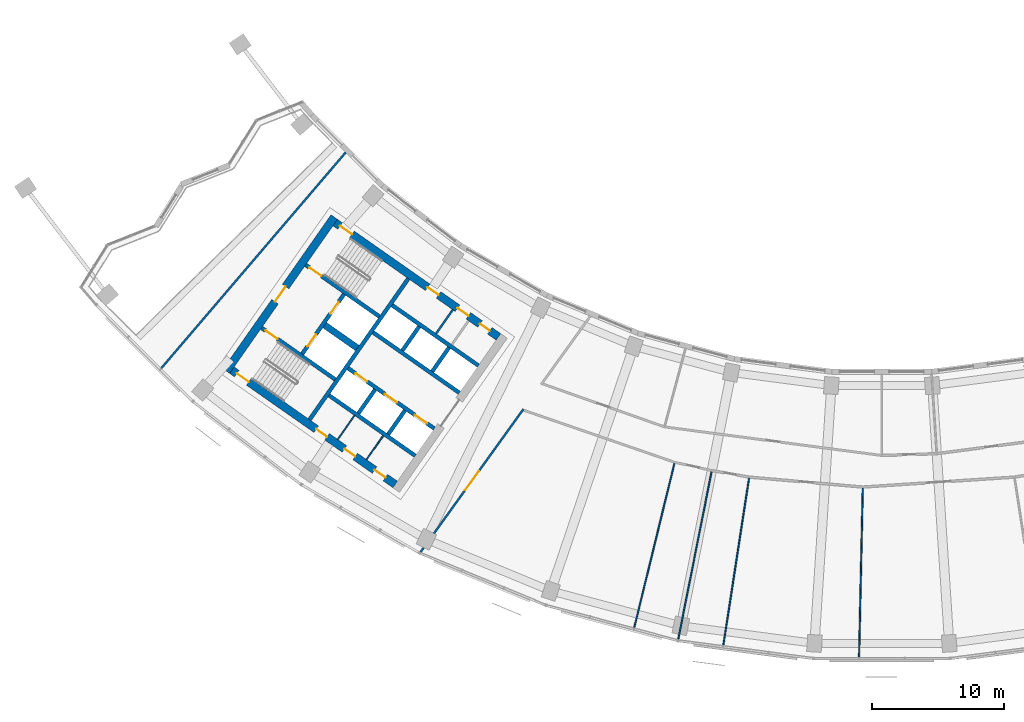
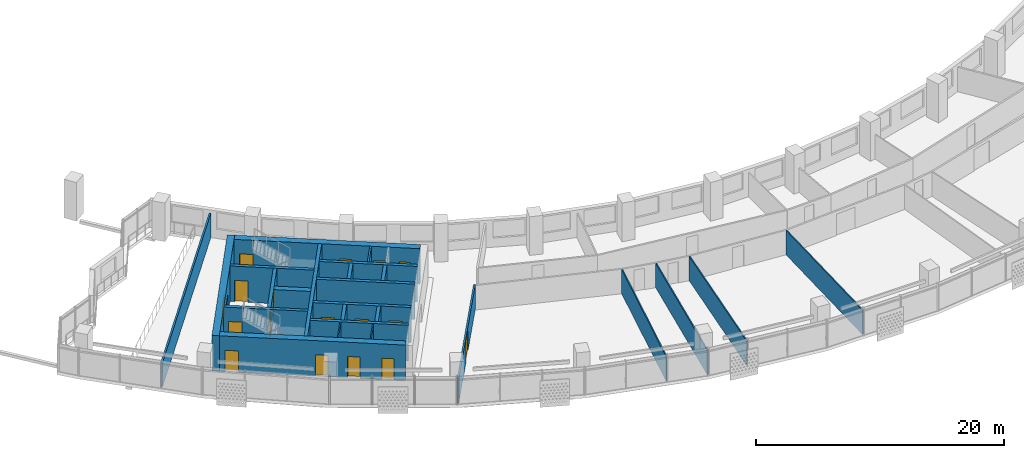
# One storey, part 3 of 27: 25 walls, 17 doors, 17 openings.
"""IFC4 building model written with IfcOpenShell, lengths in metres."""

from ifc_helpers import new_model, si_unit, direction, frame, frame_2d, origin, place, context, subcontext, project, spatial, rectangle, extrude, material, layer, layer_set, type_object, element, fill, save


model = new_model("IFC4")

# Units and contexts
model_context = context("Model", 3, precision=1e-05, world=origin(), true_north=direction((0.0, 1.0)))
body_context = subcontext(model_context, "Body", "Model", "MODEL_VIEW")
ifc_project = project(units=[si_unit("LENGTHUNIT", "METRE"), si_unit("AREAUNIT", "SQUARE_METRE"), si_unit("VOLUMEUNIT", "CUBIC_METRE"), si_unit("PLANEANGLEUNIT", "RADIAN"), si_unit("MASSUNIT", "GRAM", prefix="KILO")], contexts=[model_context])

# Site, building, storey
site_placement = place(None, origin())
site = spatial("IfcSite", under=ifc_project, at=site_placement, CompositionType="ELEMENT")
building_placement = place(site_placement, origin())
building = spatial("IfcBuilding", under=site, at=building_placement, Name="Qamariyya Broadcast Tower", CompositionType="ELEMENT")
storey_placement = place(building_placement, frame((0.0, 0.0, 153.10009765625)))
storey = spatial("IfcBuildingStorey", under=building, at=storey_placement, Name="L35", CompositionType="ELEMENT", Elevation=153.10009765625)

# Wall, opening, door
ifc_material_1 = material(Name="Concrete C60/75", Category="concrete")
ifc_layer_1 = layer(ifc_material_1, 0.60009765625)
ifc_layer_set_1 = layer_set([ifc_layer_1], Name="Core wall 600 mm Concrete C60/75")
wall_type_1 = type_object("IfcWallType", Name="Core wall 600 mm Concrete C60/75", PredefinedType="SHEAR", material=ifc_layer_set_1)
wall_1_placement = place(storey_placement, frame((-49.4833984375, -57.031494140625, 0.0), z_axis=(0.0, 0.0, 1.0), x_axis=(0.573560421458, 0.819163257805, 0.0)))
wall_1 = element("IfcWall", 1, at=wall_1_placement, inside=storey, type_object=wall_type_1, Name="k-W-L35-WH", PredefinedType="SHEAR", context=body_context, shape_type="SweptSolid", body=[
    extrude(rectangle(XDim=14.199951171875, YDim=0.60009765625, at=frame_2d((7.10009765625, 0.0))), origin(), (0.0, 0.0, 1.0), 3.5),
])
opening_1_placement = place(wall_1_placement, frame((6.39990234375, 0.0, 0.0)))
opening_1 = element("IfcOpeningElement", 2, at=opening_1_placement, cuts=wall_1, Name="Opening KD2-W1", PredefinedType="OPENING", context=body_context, shape_type="SweptSolid", body=[
    extrude(rectangle(XDim=1.39990234375, YDim=2.10009765625, at=frame_2d((0.699951171875, 1.050048828125))), frame((0.0, 0.31005859375, 0.0), z_axis=(0.0, -1.0, 0.0), x_axis=(1.0, 0.0, 0.0)), (0.0, 0.0, 1.0), 0.6201171875),
])
ifc_material_2 = material(Name="Steel fire-resisting door leaf", Category="steel")
door_type_1 = type_object("IfcDoorType", Name="Fire-fighting lobby door KD2", OperationType="DOUBLE_DOOR_SINGLE_SWING", PredefinedType="DOOR", material=ifc_material_2)
door_1_placement = place(opening_1_placement, origin())
door_1 = element("IfcDoor", 3, at=door_1_placement, inside=storey, type_object=door_type_1, Name="k-W-L35-WH-D13", OperationType="DOUBLE_DOOR_SINGLE_SWING", OverallHeight=2.10009765625, OverallWidth=1.39990234375, PredefinedType="DOOR", context=body_context, shape_type="SweptSolid", body=[
    extrude(rectangle(XDim=1.39990234375, YDim=2.10009765625, at=frame_2d((0.699951171875, 1.050048828125))), frame((0.0, 0.02490234375, 0.0), z_axis=(0.0, -1.0, 0.0), x_axis=(1.0, 0.0, 0.0)), (0.0, 0.0, 1.0), 0.050048828125),
])
fill(opening_1, door_1)

# Wall, openings, doors
wall_2_placement = place(storey_placement, frame((-28.940673828125, -54.447021484375, 0.0), z_axis=(0.0, 0.0, 1.0), x_axis=(-0.819153391756, 0.573574511963, 0.0)))
wall_2 = element("IfcWall", 4, at=wall_2_placement, inside=storey, type_object=wall_type_1, Name="k-W-L35-WI", PredefinedType="SHEAR", context=body_context, shape_type="SweptSolid", body=[
    extrude(rectangle(XDim=15.04541015625, YDim=0.60009765625, at=frame_2d((7.522705078125, 0.0))), origin(), (0.0, 0.0, 1.0), 3.5),
])
opening_2_placement = place(wall_2_placement, frame((0.800048828125, 0.0, 0.0)))
opening_2 = element("IfcOpeningElement", 5, at=opening_2_placement, cuts=wall_2, Name="Opening KD5-W1", PredefinedType="OPENING", context=body_context, shape_type="SweptSolid", body=[
    extrude(rectangle(XDim=0.89990234375, YDim=2.10009765625, at=frame_2d((0.449951171875, 1.050048828125))), frame((0.0, 0.31005859375, 0.0), z_axis=(0.0, -1.0, 0.0), x_axis=(1.0, 0.0, 0.0)), (0.0, 0.0, 1.0), 0.6201171875),
])
opening_3_placement = place(wall_2_placement, frame((2.77490234375, 0.0, 0.0)))
opening_3 = element("IfcOpeningElement", 6, at=opening_3_placement, cuts=wall_2, Name="Opening KD7-W1", PredefinedType="OPENING", context=body_context, shape_type="SweptSolid", body=[
    extrude(rectangle(XDim=1.0, YDim=2.10009765625, at=frame_2d((0.5, 1.050048828125))), frame((0.0, 0.31005859375, 0.0), z_axis=(0.0, -1.0, 0.0), x_axis=(1.0, 0.0, 0.0)), (0.0, 0.0, 1.0), 0.6201171875),
])
opening_4_placement = place(wall_2_placement, frame((5.52490234375, 0.0, 0.0)))
opening_4 = element("IfcOpeningElement", 7, at=opening_4_placement, cuts=wall_2, Name="Opening KD6-W1", PredefinedType="OPENING", context=body_context, shape_type="SweptSolid", body=[
    extrude(rectangle(XDim=1.0, YDim=2.10009765625, at=frame_2d((0.5, 1.050048828125))), frame((0.0, 0.31005859375, 0.0), z_axis=(0.0, -1.0, 0.0), x_axis=(1.0, 0.0, 0.0)), (0.0, 0.0, 1.0), 0.6201171875),
])
opening_5_placement = place(wall_2_placement, frame((13.495361328125, 0.0, 0.0)))
opening_5 = element("IfcOpeningElement", 8, at=opening_5_placement, cuts=wall_2, Name="Opening KD1-W1", PredefinedType="OPENING", context=body_context, shape_type="SweptSolid", body=[
    extrude(rectangle(XDim=1.10009765625, YDim=2.10009765625, at=frame_2d((0.550048828125, 1.050048828125))), frame((0.0, 0.31005859375, 0.0), z_axis=(0.0, -1.0, 0.0), x_axis=(1.0, 0.0, 0.0)), (0.0, 0.0, 1.0), 0.6201171875),
])
door_type_2 = type_object("IfcDoorType", Name="Accessible toilet door KD7", OperationType="SINGLE_SWING_LEFT", PredefinedType="DOOR", material=ifc_material_2)
door_2_placement = place(opening_3_placement, origin())
door_2 = element("IfcDoor", 9, at=door_2_placement, inside=storey, type_object=door_type_2, Name="k-W-L35-WI-D6", OperationType="SINGLE_SWING_LEFT", OverallHeight=2.10009765625, OverallWidth=1.0, PredefinedType="DOOR", context=body_context, shape_type="SweptSolid", body=[
    extrude(rectangle(XDim=1.0, YDim=2.10009765625, at=frame_2d((0.5, 1.050048828125))), frame((0.0, 0.02490234375, 0.0), z_axis=(0.0, -1.0, 0.0), x_axis=(1.0, 0.0, 0.0)), (0.0, 0.0, 1.0), 0.050048828125),
])
fill(opening_3, door_2)
door_type_3 = type_object("IfcDoorType", Name="Core room door KD6", OperationType="SINGLE_SWING_LEFT", PredefinedType="DOOR", material=ifc_material_2)
door_3_placement = place(opening_4_placement, origin())
door_3 = element("IfcDoor", 10, at=door_3_placement, inside=storey, type_object=door_type_3, Name="k-W-L35-WI-D7", OperationType="SINGLE_SWING_RIGHT", OverallHeight=2.10009765625, OverallWidth=1.0, PredefinedType="DOOR", context=body_context, shape_type="SweptSolid", body=[
    extrude(rectangle(XDim=1.0, YDim=2.10009765625, at=frame_2d((0.5, 1.050048828125))), frame((0.0, 0.02490234375, 0.0), z_axis=(0.0, -1.0, 0.0), x_axis=(1.0, 0.0, 0.0)), (0.0, 0.0, 1.0), 0.050048828125),
])
fill(opening_4, door_3)
door_type_4 = type_object("IfcDoorType", Name="Stair door KD1", OperationType="SINGLE_SWING_LEFT", PredefinedType="DOOR", material=ifc_material_2)
door_4_placement = place(opening_5_placement, origin())
door_4 = element("IfcDoor", 11, at=door_4_placement, inside=storey, type_object=door_type_4, Name="k-W-L35-WI-D14", OperationType="SINGLE_SWING_RIGHT", OverallHeight=2.10009765625, OverallWidth=1.10009765625, PredefinedType="DOOR", context=body_context, shape_type="SweptSolid", body=[
    extrude(rectangle(XDim=1.10009765625, YDim=2.10009765625, at=frame_2d((0.550048828125, 1.050048828125))), frame((0.0, 0.02490234375, 0.0), z_axis=(0.0, -1.0, 0.0), x_axis=(1.0, 0.0, 0.0)), (0.0, 0.0, 1.0), 0.050048828125),
])
fill(opening_5, door_4)
door_type_5 = type_object("IfcDoorType", Name="Toilet door KD5", OperationType="SINGLE_SWING_LEFT", PredefinedType="DOOR", material=ifc_material_2)
door_5_placement = place(opening_2_placement, origin())
door_5 = element("IfcDoor", 12, at=door_5_placement, inside=storey, type_object=door_type_5, Name="k-W-L35-WI-D5", OperationType="SINGLE_SWING_RIGHT", OverallHeight=2.10009765625, OverallWidth=0.89990234375, PredefinedType="DOOR", context=body_context, shape_type="SweptSolid", body=[
    extrude(rectangle(XDim=0.89990234375, YDim=2.10009765625, at=frame_2d((0.449951171875, 1.050048828125))), frame((0.0, 0.02490234375, 0.0), z_axis=(0.0, -1.0, 0.0), x_axis=(1.0, 0.0, 0.0)), (0.0, 0.0, 1.0), 0.050048828125),
])
fill(opening_2, door_5)

wall_3_placement = place(storey_placement, frame((-36.7412109375, -65.58740234375, 0.0), z_axis=(0.0, 0.0, 1.0), x_axis=(-0.819153391756, 0.573574511963, 0.0)))
wall_3 = element("IfcWall", 13, at=wall_3_placement, inside=storey, type_object=wall_type_1, Name="k-W-L35-WO", PredefinedType="SHEAR", context=body_context, shape_type="SweptSolid", body=[
    extrude(rectangle(XDim=15.04541015625, YDim=0.60009765625, at=frame_2d((7.522705078125, 0.0))), origin(), (0.0, 0.0, 1.0), 3.5),
])
opening_6_placement = place(wall_3_placement, frame((0.89990234375, 0.0, 0.0)))
opening_6 = element("IfcOpeningElement", 14, at=opening_6_placement, cuts=wall_3, Name="Opening KD4-W1", PredefinedType="OPENING", context=body_context, shape_type="SweptSolid", body=[
    extrude(rectangle(XDim=1.0, YDim=2.10009765625, at=frame_2d((0.5, 1.050048828125))), frame((0.0, 0.31005859375, 0.0), z_axis=(0.0, -1.0, 0.0), x_axis=(1.0, 0.0, 0.0)), (0.0, 0.0, 1.0), 0.6201171875),
])
opening_7_placement = place(wall_3_placement, frame((3.675048828125, 0.0, 0.0)))
opening_7 = element("IfcOpeningElement", 15, at=opening_7_placement, cuts=wall_3, Name="Opening KD4-W2", PredefinedType="OPENING", context=body_context, shape_type="SweptSolid", body=[
    extrude(rectangle(XDim=1.0, YDim=2.10009765625, at=frame_2d((0.5, 1.050048828125))), frame((0.0, 0.31005859375, 0.0), z_axis=(0.0, -1.0, 0.0), x_axis=(1.0, 0.0, 0.0)), (0.0, 0.0, 1.0), 0.6201171875),
])
opening_8_placement = place(wall_3_placement, frame((6.27490234375, 0.0, 0.0)))
opening_8 = element("IfcOpeningElement", 16, at=opening_8_placement, cuts=wall_3, Name="Opening KD4-W3", PredefinedType="OPENING", context=body_context, shape_type="SweptSolid", body=[
    extrude(rectangle(XDim=1.0, YDim=2.10009765625, at=frame_2d((0.5, 1.050048828125))), frame((0.0, 0.31005859375, 0.0), z_axis=(0.0, -1.0, 0.0), x_axis=(1.0, 0.0, 0.0)), (0.0, 0.0, 1.0), 0.6201171875),
])
opening_9_placement = place(wall_3_placement, frame((13.495361328125, 0.0, 0.0)))
opening_9 = element("IfcOpeningElement", 17, at=opening_9_placement, cuts=wall_3, Name="Opening KD1-W3", PredefinedType="OPENING", context=body_context, shape_type="SweptSolid", body=[
    extrude(rectangle(XDim=1.10009765625, YDim=2.10009765625, at=frame_2d((0.550048828125, 1.050048828125))), frame((0.0, 0.31005859375, 0.0), z_axis=(0.0, -1.0, 0.0), x_axis=(1.0, 0.0, 0.0)), (0.0, 0.0, 1.0), 0.6201171875),
])
door_type_6 = type_object("IfcDoorType", Name="Riser and plant door KD4", OperationType="SINGLE_SWING_LEFT", PredefinedType="DOOR", material=ifc_material_2)
door_6_placement = place(opening_6_placement, origin())
door_6 = element("IfcDoor", 18, at=door_6_placement, inside=storey, type_object=door_type_6, Name="k-W-L35-WO-D8", OperationType="SINGLE_SWING_LEFT", OverallHeight=2.10009765625, OverallWidth=1.0, PredefinedType="DOOR", context=body_context, shape_type="SweptSolid", body=[
    extrude(rectangle(XDim=1.0, YDim=2.10009765625, at=frame_2d((0.5, 1.050048828125))), frame((0.0, 0.02490234375, 0.0), z_axis=(0.0, -1.0, 0.0), x_axis=(1.0, 0.0, 0.0)), (0.0, 0.0, 1.0), 0.050048828125),
])
fill(opening_6, door_6)
door_7_placement = place(opening_7_placement, origin())
door_7 = element("IfcDoor", 19, at=door_7_placement, inside=storey, type_object=door_type_6, Name="k-W-L35-WO-D9", OperationType="SINGLE_SWING_RIGHT", OverallHeight=2.10009765625, OverallWidth=1.0, PredefinedType="DOOR", context=body_context, shape_type="SweptSolid", body=[
    extrude(rectangle(XDim=1.0, YDim=2.10009765625, at=frame_2d((0.5, 1.050048828125))), frame((0.0, 0.02490234375, 0.0), z_axis=(0.0, -1.0, 0.0), x_axis=(1.0, 0.0, 0.0)), (0.0, 0.0, 1.0), 0.050048828125),
])
fill(opening_7, door_7)
door_8_placement = place(opening_8_placement, origin())
door_8 = element("IfcDoor", 20, at=door_8_placement, inside=storey, type_object=door_type_6, Name="k-W-L35-WO-D10", OperationType="SINGLE_SWING_LEFT", OverallHeight=2.10009765625, OverallWidth=1.0, PredefinedType="DOOR", context=body_context, shape_type="SweptSolid", body=[
    extrude(rectangle(XDim=1.0, YDim=2.10009765625, at=frame_2d((0.5, 1.050048828125))), frame((0.0, 0.02490234375, 0.0), z_axis=(0.0, -1.0, 0.0), x_axis=(1.0, 0.0, 0.0)), (0.0, 0.0, 1.0), 0.050048828125),
])
fill(opening_8, door_8)
door_9_placement = place(opening_9_placement, origin())
door_9 = element("IfcDoor", 21, at=door_9_placement, inside=storey, type_object=door_type_4, Name="k-W-L35-WO-D16", OperationType="SINGLE_SWING_LEFT", OverallHeight=2.10009765625, OverallWidth=1.10009765625, PredefinedType="DOOR", context=body_context, shape_type="SweptSolid", body=[
    extrude(rectangle(XDim=1.10009765625, YDim=2.10009765625, at=frame_2d((0.550048828125, 1.050048828125))), frame((0.0, 0.02490234375, 0.0), z_axis=(0.0, -1.0, 0.0), x_axis=(1.0, 0.0, 0.0)), (0.0, 0.0, 1.0), 0.050048828125),
])
fill(opening_9, door_9)

# Wall
ifc_material_3 = material(Name="Gypsum board partition")
ifc_layer_2 = layer(ifc_material_3, 0.14990234375)
ifc_layer_set_2 = layer_set([ifc_layer_2], Name="Corridor partition 150 EI 60")
wall_type_2 = type_object("IfcWallType", Name="Corridor partition 150 EI 60", PredefinedType="PARTITIONING", material=ifc_layer_set_2)
wall_4_placement = place(storey_placement, frame((-40.478759765625, -40.52294921875, 0.0), z_axis=(0.0, 0.0, 1.0), x_axis=(-0.649633284071, -0.760247720303, 0.0)))
element("IfcWall", 22, at=wall_4_placement, inside=storey, type_object=wall_type_2, Name="Partition L35-001", PredefinedType="PARTITIONING", context=body_context, shape_type="SweptSolid", body=[
    extrude(rectangle(XDim=21.420166015625, YDim=0.14990234375, at=frame_2d((10.7099609375, 0.0))), origin(), (0.0, 0.0, 1.0), 2.39990234375),
])

# Wall, opening, door
wall_5_placement = place(storey_placement, frame((-27.056884765625, -59.899169921875, 0.0), z_axis=(0.0, 0.0, 1.0), x_axis=(-0.584166374063, -0.81163393683, 0.0)))
wall_5 = element("IfcWall", 23, at=wall_5_placement, inside=storey, type_object=wall_type_2, Name="Partition L35-002", PredefinedType="PARTITIONING", context=body_context, shape_type="SweptSolid", body=[
    extrude(rectangle(XDim=13.296142578125, YDim=0.14990234375, at=frame_2d((6.64794921875, 0.0))), origin(), (0.0, 0.0, 1.0), 2.39990234375),
])
opening_10_placement = place(wall_5_placement, frame((5.748046875, 0.0, 0.0)))
opening_10 = element("IfcOpeningElement", 24, at=opening_10_placement, cuts=wall_5, Name="Opening L35-D01", PredefinedType="OPENING", context=body_context, shape_type="SweptSolid", body=[
    extrude(rectangle(XDim=1.800048828125, YDim=2.10009765625, at=frame_2d((0.89990234375, 1.050048828125))), frame((0.0, 0.0849609375, 0.0), z_axis=(0.0, -1.0, 0.0), x_axis=(1.0, 0.0, 0.0)), (0.0, 0.0, 1.0), 0.169921875),
])
ifc_material_4 = material(Name="Timber fire door leaf", Category="wood")
door_type_7 = type_object("IfcDoorType", Name="Double fire door 1800 x 2100 FD60", OperationType="NOTDEFINED", PredefinedType="DOOR", material=ifc_material_4)
door_10_placement = place(opening_10_placement, origin())
door_10 = element("IfcDoor", 25, at=door_10_placement, inside=storey, type_object=door_type_7, Name="Door L35-D01", OperationType="DOUBLE_DOOR_SINGLE_SWING", OverallHeight=2.10009765625, OverallWidth=1.800048828125, PredefinedType="DOOR", context=body_context, shape_type="SweptSolid", body=[
    extrude(rectangle(XDim=1.800048828125, YDim=2.10009765625, at=frame_2d((0.89990234375, 1.050048828125))), frame((0.0, 0.02490234375, 0.0), z_axis=(0.0, -1.0, 0.0), x_axis=(1.0, 0.0, 0.0)), (0.0, 0.0, 1.0), 0.050048828125),
])
fill(opening_10, door_10)

# Walls
ifc_layer_3 = layer(ifc_material_1, 0.5)
ifc_layer_set_3 = layer_set([ifc_layer_3], Name="Fire-fighting lobby divider wall 500 mm Concrete C60/75")
wall_type_3 = type_object("IfcWallType", Name="Fire-fighting lobby divider wall 500 mm Concrete C60/75", PredefinedType="SOLIDWALL", material=ifc_layer_set_3)
wall_6_placement = place(storey_placement, frame((-39.59912109375, -55.28515625, 0.0), z_axis=(0.0, 0.0, 1.0), x_axis=(-0.819136323161, 0.573598887793, 0.0)))
element("IfcWall", 26, at=wall_6_placement, inside=storey, type_object=wall_type_3, Name="k-W-L35-FD", PredefinedType="SOLIDWALL", context=body_context, shape_type="SweptSolid", body=[
    extrude(rectangle(XDim=2.999755859375, YDim=0.5, at=frame_2d((1.5, 0.0))), origin(), (0.0, 0.0, 1.0), 3.5),
])
ifc_material_5 = material(Name="Gypsum board partition on steel studs", Category="steel")
ifc_layer_4 = layer(ifc_material_5, 0.14990234375)
ifc_layer_set_4 = layer_set([ifc_layer_4], Name="Gypsum board partition 150 mm")
wall_type_4 = type_object("IfcWallType", Name="Gypsum board partition 150 mm", PredefinedType="PARTITIONING", material=ifc_layer_set_4)
wall_7_placement = place(storey_placement, frame((-33.651123046875, -54.200439453125, 0.0), z_axis=(0.0, 0.0, 1.0), x_axis=(0.573559170999, 0.819164133348, 0.0)))
element("IfcWall", 27, at=wall_7_placement, inside=storey, type_object=wall_type_4, Name="k-W-L35-NP400", PredefinedType="PARTITIONING", context=body_context, shape_type="SweptSolid", body=[
    extrude(rectangle(XDim=2.19970703125, YDim=0.14990234375, at=frame_2d((1.099853515625, 0.0))), origin(), (0.0, 0.0, 1.0), 3.5),
])
ifc_layer_5 = layer(ifc_material_1, 0.300048828125)
ifc_layer_set_5 = layer_set([ifc_layer_5], Name="Lift shaft wall 300 mm Concrete C60/75")
wall_type_5 = type_object("IfcWallType", Name="Lift shaft wall 300 mm Concrete C60/75", PredefinedType="SOLIDWALL", material=ifc_layer_set_5)
wall_8_placement = place(storey_placement, frame((-43.204345703125, -60.69580078125, 0.0), z_axis=(0.0, 0.0, 1.0), x_axis=(0.573571992966, 0.819155155563, 0.0)))
element("IfcWall", 28, at=wall_8_placement, inside=storey, type_object=wall_type_5, Name="k-W-L35-WL", PredefinedType="SOLIDWALL", context=body_context, shape_type="SweptSolid", body=[
    extrude(rectangle(XDim=13.000244140625, YDim=0.300048828125, at=frame_2d((6.5, 0.0))), origin(), (0.0, 0.0, 1.0), 3.5),
])
wall_9_placement = place(storey_placement, frame((-31.89453125, -58.66552734375, 0.0), z_axis=(0.0, 0.0, 1.0), x_axis=(-0.819166993208, 0.573555086491, 0.0)))
element("IfcWall", 29, at=wall_9_placement, inside=storey, type_object=wall_type_5, Name="k-W-L35-NF0", PredefinedType="SOLIDWALL", context=body_context, shape_type="SweptSolid", body=[
    extrude(rectangle(XDim=7.9501953125, YDim=0.300048828125, at=frame_2d((3.97509765625, 0.0))), origin(), (0.0, 0.0, 1.0), 3.5),
])
wall_10_placement = place(storey_placement, frame((-30.460693359375, -56.61767578125, 0.0), z_axis=(0.0, 0.0, 1.0), x_axis=(-0.819142461705, 0.573590121456, 0.0)))
element("IfcWall", 30, at=wall_10_placement, inside=storey, type_object=wall_type_5, Name="k-W-L35-NB0", PredefinedType="SOLIDWALL", context=body_context, shape_type="SweptSolid", body=[
    extrude(rectangle(XDim=7.949951171875, YDim=0.300048828125, at=frame_2d((3.97509765625, 0.0))), origin(), (0.0, 0.0, 1.0), 3.5),
])
wall_11_placement = place(storey_placement, frame((-33.9384765625, -57.051513671875, 0.0), z_axis=(0.0, 0.0, 1.0), x_axis=(0.573581496053, 0.819148501424, 0.0)))
element("IfcWall", 31, at=wall_11_placement, inside=storey, type_object=wall_type_5, Name="k-W-L35-ND0", PredefinedType="SOLIDWALL", context=body_context, shape_type="SweptSolid", body=[
    extrude(rectangle(XDim=2.2001953125, YDim=0.300048828125, at=frame_2d((1.10009765625, 0.0))), origin(), (0.0, 0.0, 1.0), 3.5),
])
wall_12_placement = place(storey_placement, frame((-36.19091796875, -55.47412109375, 0.0), z_axis=(0.0, 0.0, 1.0), x_axis=(0.573507030513, 0.819200638399, 0.0)))
element("IfcWall", 32, at=wall_12_placement, inside=storey, type_object=wall_type_5, Name="k-W-L35-ND1", PredefinedType="SOLIDWALL", context=body_context, shape_type="SweptSolid", body=[
    extrude(rectangle(XDim=2.199951171875, YDim=0.300048828125, at=frame_2d((1.10009765625, 0.0))), origin(), (0.0, 0.0, 1.0), 3.5),
])

# Wall, openings, doors
wall_13_placement = place(storey_placement, frame((-33.787353515625, -61.368896484375, 0.0), z_axis=(0.0, 0.0, 1.0), x_axis=(-0.819152564888, 0.573575692858, 0.0)))
wall_13 = element("IfcWall", 33, at=wall_13_placement, inside=storey, type_object=wall_type_5, Name="k-W-L35-SF0", PredefinedType="SOLIDWALL", context=body_context, shape_type="SweptSolid", body=[
    extrude(rectangle(XDim=7.9501953125, YDim=0.300048828125, at=frame_2d((3.97509765625, 0.0))), origin(), (0.0, 0.0, 1.0), 3.5),
])
opening_11_placement = place(wall_13_placement, frame((0.675048828125, 0.0, 0.0)))
opening_11 = element("IfcOpeningElement", 34, at=opening_11_placement, cuts=wall_13, Name="Opening LD", PredefinedType="OPENING", context=body_context, shape_type="SweptSolid", body=[
    extrude(rectangle(XDim=1.10009765625, YDim=2.10009765625, at=frame_2d((0.550048828125, 1.050048828125))), frame((0.0, 0.159912109375, 0.0), z_axis=(0.0, -1.0, 0.0), x_axis=(1.0, 0.0, 0.0)), (0.0, 0.0, 1.0), 0.320068359375),
])
opening_12_placement = place(wall_13_placement, frame((3.425048828125, 0.0, 0.0)))
opening_12 = element("IfcOpeningElement", 35, at=opening_12_placement, cuts=wall_13, Name="Opening LD", PredefinedType="OPENING", context=body_context, shape_type="SweptSolid", body=[
    extrude(rectangle(XDim=1.10009765625, YDim=2.10009765625, at=frame_2d((0.550048828125, 1.050048828125))), frame((0.0, 0.159912109375, 0.0), z_axis=(0.0, -1.0, 0.0), x_axis=(1.0, 0.0, 0.0)), (0.0, 0.0, 1.0), 0.320068359375),
])
opening_13_placement = place(wall_13_placement, frame((6.175048828125, 0.0, 0.0)))
opening_13 = element("IfcOpeningElement", 36, at=opening_13_placement, cuts=wall_13, Name="Opening LD", PredefinedType="OPENING", context=body_context, shape_type="SweptSolid", body=[
    extrude(rectangle(XDim=1.10009765625, YDim=2.10009765625, at=frame_2d((0.550048828125, 1.050048828125))), frame((0.0, 0.159912109375, 0.0), z_axis=(0.0, -1.0, 0.0), x_axis=(1.0, 0.0, 0.0)), (0.0, 0.0, 1.0), 0.320068359375),
])
door_type_8 = type_object("IfcDoorType", Name="Lift landing door LD", OperationType="DOUBLE_DOOR_SLIDING", PredefinedType="DOOR", material=ifc_material_2)
door_11_placement = place(opening_11_placement, origin())
door_11 = element("IfcDoor", 37, at=door_11_placement, inside=storey, type_object=door_type_8, Name="k-W-L35-SF0-D2", OperationType="DOUBLE_DOOR_SLIDING", OverallHeight=2.10009765625, OverallWidth=1.10009765625, PredefinedType="DOOR", context=body_context, shape_type="SweptSolid", body=[
    extrude(rectangle(XDim=1.10009765625, YDim=2.10009765625, at=frame_2d((0.550048828125, 1.050048828125))), frame((0.0, 0.02490234375, 0.0), z_axis=(0.0, -1.0, 0.0), x_axis=(1.0, 0.0, 0.0)), (0.0, 0.0, 1.0), 0.050048828125),
])
fill(opening_11, door_11)
door_12_placement = place(opening_12_placement, origin())
door_12 = element("IfcDoor", 38, at=door_12_placement, inside=storey, type_object=door_type_8, Name="k-W-L35-SF0-D3", OperationType="DOUBLE_DOOR_SLIDING", OverallHeight=2.10009765625, OverallWidth=1.10009765625, PredefinedType="DOOR", context=body_context, shape_type="SweptSolid", body=[
    extrude(rectangle(XDim=1.10009765625, YDim=2.10009765625, at=frame_2d((0.550048828125, 1.050048828125))), frame((0.0, 0.02490234375, 0.0), z_axis=(0.0, -1.0, 0.0), x_axis=(1.0, 0.0, 0.0)), (0.0, 0.0, 1.0), 0.050048828125),
])
fill(opening_12, door_12)
door_13_placement = place(opening_13_placement, origin())
door_13 = element("IfcDoor", 39, at=door_13_placement, inside=storey, type_object=door_type_8, Name="k-W-L35-SF0-D4", OperationType="DOUBLE_DOOR_SLIDING", OverallHeight=2.10009765625, OverallWidth=1.10009765625, PredefinedType="DOOR", context=body_context, shape_type="SweptSolid", body=[
    extrude(rectangle(XDim=1.10009765625, YDim=2.10009765625, at=frame_2d((0.550048828125, 1.050048828125))), frame((0.0, 0.02490234375, 0.0), z_axis=(0.0, -1.0, 0.0), x_axis=(1.0, 0.0, 0.0)), (0.0, 0.0, 1.0), 0.050048828125),
])
fill(opening_13, door_13)

# Walls
wall_14_placement = place(storey_placement, frame((-35.22119140625, -63.41650390625, 0.0), z_axis=(0.0, 0.0, 1.0), x_axis=(-0.819166993208, 0.573555086491, 0.0)))
element("IfcWall", 40, at=wall_14_placement, inside=storey, type_object=wall_type_5, Name="k-W-L35-SB0", PredefinedType="SOLIDWALL", context=body_context, shape_type="SweptSolid", body=[
    extrude(rectangle(XDim=7.9501953125, YDim=0.300048828125, at=frame_2d((3.97509765625, 0.0))), origin(), (0.0, 0.0, 1.0), 3.5),
])
wall_15_placement = place(storey_placement, frame((-36.003173828125, -60.000244140625, 0.0), z_axis=(0.0, 0.0, 1.0), x_axis=(-0.573581496053, -0.819148501424, 0.0)))
element("IfcWall", 41, at=wall_15_placement, inside=storey, type_object=wall_type_5, Name="k-W-L35-SD0", PredefinedType="SOLIDWALL", context=body_context, shape_type="SweptSolid", body=[
    extrude(rectangle(XDim=2.2001953125, YDim=0.300048828125, at=frame_2d((1.10009765625, 0.0))), origin(), (0.0, 0.0, 1.0), 3.5),
])
wall_16_placement = place(storey_placement, frame((-38.255859375, -58.423095703125, 0.0), z_axis=(0.0, 0.0, 1.0), x_axis=(-0.573633636671, -0.819111989218, 0.0)))
element("IfcWall", 42, at=wall_16_placement, inside=storey, type_object=wall_type_5, Name="k-W-L35-SD1", PredefinedType="SOLIDWALL", context=body_context, shape_type="SweptSolid", body=[
    extrude(rectangle(XDim=2.199951171875, YDim=0.300048828125, at=frame_2d((1.10009765625, 0.0))), origin(), (0.0, 0.0, 1.0), 3.5),
])

# Wall, opening, door
wall_17_placement = place(storey_placement, frame((-37.935546875, -52.90966796875, 0.0), z_axis=(0.0, 0.0, 1.0), x_axis=(-0.819147518138, 0.57358290031, 0.0)))
wall_17 = element("IfcWall", 43, at=wall_17_placement, inside=storey, type_object=wall_type_5, Name="k-W-L35-NW", PredefinedType="SOLIDWALL", context=body_context, shape_type="SweptSolid", body=[
    extrude(rectangle(XDim=6.79541015625, YDim=0.300048828125, at=frame_2d((3.397705078125, 0.0))), origin(), (0.0, 0.0, 1.0), 3.5),
])
opening_14_placement = place(wall_17_placement, frame((5.3203125, 0.0, 0.0)))
opening_14 = element("IfcOpeningElement", 44, at=opening_14_placement, cuts=wall_17, Name="Opening KD1-W2", PredefinedType="OPENING", context=body_context, shape_type="SweptSolid", body=[
    extrude(rectangle(XDim=1.10009765625, YDim=2.10009765625, at=frame_2d((0.550048828125, 1.050048828125))), frame((0.0, 0.159912109375, 0.0), z_axis=(0.0, -1.0, 0.0), x_axis=(1.0, 0.0, 0.0)), (0.0, 0.0, 1.0), 0.320068359375),
])
door_14_placement = place(opening_14_placement, origin())
door_14 = element("IfcDoor", 45, at=door_14_placement, inside=storey, type_object=door_type_4, Name="k-W-L35-NW-D15", OperationType="SINGLE_SWING_RIGHT", OverallHeight=2.10009765625, OverallWidth=1.10009765625, PredefinedType="DOOR", context=body_context, shape_type="SweptSolid", body=[
    extrude(rectangle(XDim=1.10009765625, YDim=2.10009765625, at=frame_2d((0.550048828125, 1.050048828125))), frame((0.0, 0.02490234375, 0.0), z_axis=(0.0, -1.0, 0.0), x_axis=(1.0, 0.0, 0.0)), (0.0, 0.0, 1.0), 0.050048828125),
])
fill(opening_14, door_14)

wall_18_placement = place(storey_placement, frame((-41.262451171875, -57.66064453125, 0.0), z_axis=(0.0, 0.0, 1.0), x_axis=(-0.819164398642, 0.573558792102, 0.0)))
wall_18 = element("IfcWall", 46, at=wall_18_placement, inside=storey, type_object=wall_type_5, Name="k-W-L35-SW", PredefinedType="SOLIDWALL", context=body_context, shape_type="SweptSolid", body=[
    extrude(rectangle(XDim=6.795166015625, YDim=0.300048828125, at=frame_2d((3.3974609375, 0.0))), origin(), (0.0, 0.0, 1.0), 3.5),
])
opening_15_placement = place(wall_18_placement, frame((5.3203125, 0.0, 0.0)))
opening_15 = element("IfcOpeningElement", 47, at=opening_15_placement, cuts=wall_18, Name="Opening KD1-W4", PredefinedType="OPENING", context=body_context, shape_type="SweptSolid", body=[
    extrude(rectangle(XDim=1.10009765625, YDim=2.10009765625, at=frame_2d((0.550048828125, 1.050048828125))), frame((0.0, 0.159912109375, 0.0), z_axis=(0.0, -1.0, 0.0), x_axis=(1.0, 0.0, 0.0)), (0.0, 0.0, 1.0), 0.320068359375),
])
door_15_placement = place(opening_15_placement, origin())
door_15 = element("IfcDoor", 48, at=door_15_placement, inside=storey, type_object=door_type_4, Name="k-W-L35-SW-D17", OperationType="SINGLE_SWING_RIGHT", OverallHeight=2.10009765625, OverallWidth=1.10009765625, PredefinedType="DOOR", context=body_context, shape_type="SweptSolid", body=[
    extrude(rectangle(XDim=1.10009765625, YDim=2.10009765625, at=frame_2d((0.550048828125, 1.050048828125))), frame((0.0, 0.02490234375, 0.0), z_axis=(0.0, -1.0, 0.0), x_axis=(1.0, 0.0, 0.0)), (0.0, 0.0, 1.0), 0.050048828125),
])
fill(opening_15, door_15)

# Wall, openings, doors
wall_19_placement = place(storey_placement, frame((-43.756591796875, -55.731201171875, 0.0), z_axis=(0.0, 0.0, 1.0), x_axis=(0.573536818435, 0.819179783625, 0.0)))
wall_19 = element("IfcWall", 49, at=wall_19_placement, inside=storey, type_object=wall_type_5, Name="k-W-L35-FF", PredefinedType="SOLIDWALL", context=body_context, shape_type="SweptSolid", body=[
    extrude(rectangle(XDim=5.500244140625, YDim=0.300048828125, at=frame_2d((2.75, 0.0))), origin(), (0.0, 0.0, 1.0), 3.5),
])
opening_16_placement = place(wall_19_placement, frame((0.699951171875, 0.0, 0.0)))
opening_16 = element("IfcOpeningElement", 50, at=opening_16_placement, cuts=wall_19, Name="Opening LD", PredefinedType="OPENING", context=body_context, shape_type="SweptSolid", body=[
    extrude(rectangle(XDim=1.10009765625, YDim=2.10009765625, at=frame_2d((0.550048828125, 1.050048828125))), frame((0.0, 0.159912109375, 0.0), z_axis=(0.0, -1.0, 0.0), x_axis=(1.0, 0.0, 0.0)), (0.0, 0.0, 1.0), 0.320068359375),
])
opening_17_placement = place(wall_19_placement, frame((3.699951171875, 0.0, 0.0)))
opening_17 = element("IfcOpeningElement", 51, at=opening_17_placement, cuts=wall_19, Name="Opening LD", PredefinedType="OPENING", context=body_context, shape_type="SweptSolid", body=[
    extrude(rectangle(XDim=1.10009765625, YDim=2.10009765625, at=frame_2d((0.550048828125, 1.050048828125))), frame((0.0, 0.159912109375, 0.0), z_axis=(0.0, -1.0, 0.0), x_axis=(1.0, 0.0, 0.0)), (0.0, 0.0, 1.0), 0.320068359375),
])
door_16_placement = place(opening_16_placement, origin())
door_16 = element("IfcDoor", 52, at=door_16_placement, inside=storey, type_object=door_type_8, Name="k-W-L35-FF-D11", OperationType="DOUBLE_DOOR_SLIDING", OverallHeight=2.10009765625, OverallWidth=1.10009765625, PredefinedType="DOOR", context=body_context, shape_type="SweptSolid", body=[
    extrude(rectangle(XDim=1.10009765625, YDim=2.10009765625, at=frame_2d((0.550048828125, 1.050048828125))), frame((0.0, 0.02490234375, 0.0), z_axis=(0.0, -1.0, 0.0), x_axis=(1.0, 0.0, 0.0)), (0.0, 0.0, 1.0), 0.050048828125),
])
fill(opening_16, door_16)
door_17_placement = place(opening_17_placement, origin())
door_17 = element("IfcDoor", 53, at=door_17_placement, inside=storey, type_object=door_type_8, Name="k-W-L35-FF-D12", OperationType="DOUBLE_DOOR_SLIDING", OverallHeight=2.10009765625, OverallWidth=1.10009765625, PredefinedType="DOOR", context=body_context, shape_type="SweptSolid", body=[
    extrude(rectangle(XDim=1.10009765625, YDim=2.10009765625, at=frame_2d((0.550048828125, 1.050048828125))), frame((0.0, 0.02490234375, 0.0), z_axis=(0.0, -1.0, 0.0), x_axis=(1.0, 0.0, 0.0)), (0.0, 0.0, 1.0), 0.050048828125),
])
fill(opening_17, door_17)

# Walls
ifc_layer_6 = layer(ifc_material_3, 0.10009765625)
ifc_layer_set_6 = layer_set([ifc_layer_6], Name="Partition 100")
wall_type_6 = type_object("IfcWallType", Name="Partition 100", PredefinedType="PARTITIONING", material=ifc_layer_set_6)
wall_20_placement = place(storey_placement, frame((-18.69189453125, -76.396240234375, 0.0), z_axis=(0.0, 0.0, 1.0), x_axis=(0.237667084027, 0.971346671982, 0.0)))
element("IfcWall", 54, at=wall_20_placement, inside=storey, type_object=wall_type_6, Name="Partition L35-006", PredefinedType="PARTITIONING", context=body_context, shape_type="SweptSolid", body=[
    extrude(rectangle(XDim=12.774658203125, YDim=0.10009765625, at=frame_2d((6.38720703125, 0.0))), origin(), (0.0, 0.0, 1.0), 2.39990234375),
])
wall_21_placement = place(storey_placement, frame((-15.373046875, -77.285888671875, 0.0), z_axis=(0.0, 0.0, 1.0), x_axis=(0.195084402894, 0.980786457771, 0.0)))
element("IfcWall", 55, at=wall_21_placement, inside=storey, type_object=wall_type_6, Name="Partition L35-009", PredefinedType="PARTITIONING", context=body_context, shape_type="SweptSolid", body=[
    extrude(rectangle(XDim=12.925048828125, YDim=0.10009765625, at=frame_2d((6.46240234375, 0.0))), origin(), (0.0, 0.0, 1.0), 2.39990234375),
])
for number, where, z_axis, x_axis, name in (
    (56, (-11.966552734375, -77.73388671875, 0.0), (0.0, 0.0, 1.0), (0.152147660046, 0.988357774059, 0.0), "Partition L35-012"),
    (57, (-1.718017578125, -78.630859375, 0.0), (0.0, 0.0, 1.0), (0.021844457465, 0.99976138137, 0.0), "Partition L35-014"),
):
    element("IfcWall", number, at=place(storey_placement, frame(where, z_axis=z_axis, x_axis=x_axis)), inside=storey, type_object=wall_type_6, Name=name, PredefinedType="PARTITIONING", context=body_context, shape_type="SweptSolid", body=[
        extrude(rectangle(XDim=12.7744140625, YDim=0.10009765625, at=frame_2d((6.38720703125, 0.0))), origin(), (0.0, 0.0, 1.0), 2.39990234375),
    ])
ifc_material_6 = material(Name="Fire-rated gypsum shaft liner on steel studs", Category="steel")
ifc_layer_7 = layer(ifc_material_6, 0.10009765625)
ifc_layer_set_7 = layer_set([ifc_layer_7], Name="Riser wall 100 mm")
wall_type_7 = type_object("IfcWallType", Name="Riser wall 100 mm", PredefinedType="PLUMBINGWALL", material=ifc_layer_set_7)
wall_22_placement = place(storey_placement, frame((-37.64208984375, -61.90478515625, 0.0), z_axis=(0.0, 0.0, 1.0), x_axis=(-0.573507030513, -0.819200638399, 0.0)))
element("IfcWall", 58, at=wall_22_placement, inside=storey, type_object=wall_type_7, Name="k-W-L35-SP285", PredefinedType="PLUMBINGWALL", context=body_context, shape_type="SweptSolid", body=[
    extrude(rectangle(XDim=2.199951171875, YDim=0.10009765625, at=frame_2d((1.10009765625, 0.0))), origin(), (0.0, 0.0, 1.0), 3.5),
])
wall_23_placement = place(storey_placement, frame((-39.812744140625, -60.384765625, 0.0), z_axis=(0.0, 0.0, 1.0), x_axis=(-0.573581496053, -0.819148501424, 0.0)))
element("IfcWall", 59, at=wall_23_placement, inside=storey, type_object=wall_type_7, Name="k-W-L35-SP550", PredefinedType="PLUMBINGWALL", context=body_context, shape_type="SweptSolid", body=[
    extrude(rectangle(XDim=2.2001953125, YDim=0.10009765625, at=frame_2d((1.10009765625, 0.0))), origin(), (0.0, 0.0, 1.0), 3.5),
])

save(model, "model.ifc")
